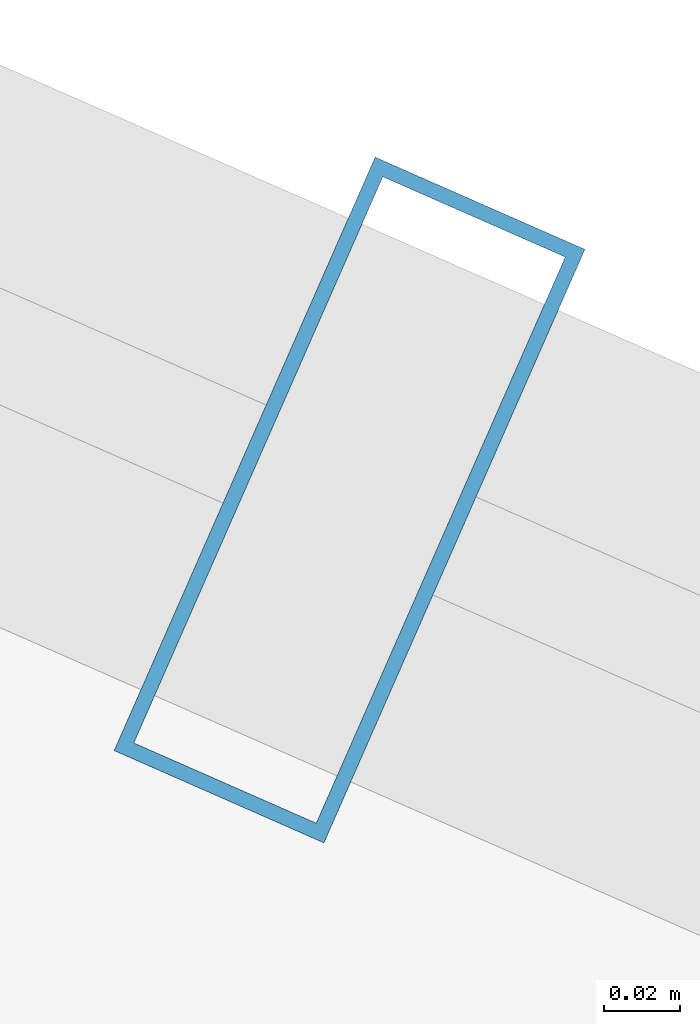
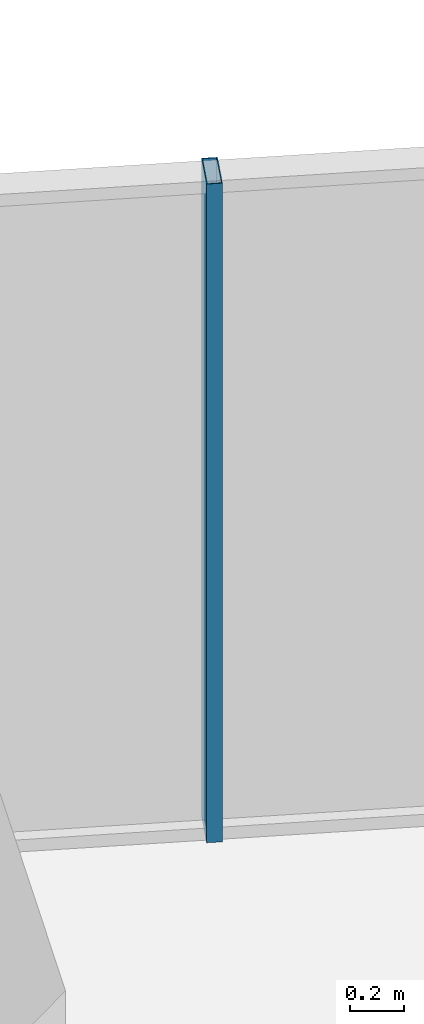
# One storey, part 23 of 34: 1 member, 1 element without a shape of its own.
"""IFC4 building model written with IfcOpenShell, lengths in metres."""

from ifc_helpers import new_model, si_unit, direction, frame, origin, origin_2d, place, context, subcontext, project, spatial, hollow_rectangle, extrude, source, transform, mapped, material, layer, layer_set, material_profile, profile_set, type_object, element, aggregate, save


model = new_model("IFC4")

# Units and contexts
model_context = context("Model", 3, precision=1e-05, world=origin(), true_north=direction((0.0, 1.0)))
body_context = subcontext(model_context, "Body", "Model", "MODEL_VIEW")
ifc_project = project(units=[si_unit("LENGTHUNIT", "METRE"), si_unit("AREAUNIT", "SQUARE_METRE"), si_unit("VOLUMEUNIT", "CUBIC_METRE"), si_unit("PLANEANGLEUNIT", "RADIAN"), si_unit("MASSUNIT", "GRAM", prefix="KILO")], contexts=[model_context])

# Site, building, storey
site_placement = place(None, origin())
site = spatial("IfcSite", under=ifc_project, at=site_placement, CompositionType="ELEMENT")
building_placement = place(site_placement, origin())
building = spatial("IfcBuilding", under=site, at=building_placement, Name="Veraguas Prism Commons", CompositionType="ELEMENT")
storey_placement = place(building_placement, frame((0.0, 0.0, 149.0)))
storey = spatial("IfcBuildingStorey", under=building, at=storey_placement, Name="L42", CompositionType="ELEMENT", Elevation=149.0)

# Curtain wall, member
ifc_material = material(Name="Anodised aluminium EN AW-6063 T6", Category="aluminium")
ifc_layer = layer(ifc_material, 0.169921875, Name="Unitised Flush Curtain Wall Zone 2", Category="aluminium")
ifc_layer_set = layer_set([ifc_layer], Name="Anodised aluminium EN AW-6063 T6")
curtain_wall_type = type_object("IfcCurtainWallType", Name="Unitised Flush Curtain Wall Zone 2", PredefinedType="NOTDEFINED", material=ifc_layer_set)
curtain_wall_placement = place(storey_placement, origin())
curtain_wall = element("IfcCurtainWall", 1, at=curtain_wall_placement, inside=storey, type_object=curtain_wall_type, Name="Tower Facade Curtain Wall L42-F1", PredefinedType="NOTDEFINED")
ifc_material_profile = material_profile(ifc_material, hollow_rectangle(XDim=0.06005859375, YDim=0.169921875, WallThickness=0.00390625, at=origin_2d()), Name="AL60X170X4")
ifc_profile_set = profile_set([ifc_material_profile], Name="Anodised aluminium EN AW-6063 T6")
member_type = type_object("IfcMemberType", Name="Curtain Wall Mullion Lower AL 60x170x4", PredefinedType="MULLION", material=ifc_profile_set)
shared_shape = source(origin(), body_context, "Body", "SweptSolid", [
    extrude(hollow_rectangle(XDim=0.06005859375, YDim=0.169921875, WallThickness=0.00390625, at=origin_2d()), origin(), (0.0, 0.0, 1.0), 3.0),
])
member_placement = place(storey_placement, frame((31.72265625, 41.559326171875, 0.0), z_axis=(0.0, 0.0, 1.0), x_axis=(-0.915385270935, 0.402578943507, 0.0)))
member = element("IfcMember", 2, at=member_placement, type_object=member_type, Name="CW-Z2 Mullion 3", PredefinedType="MULLION", context=body_context, shape_type="MappedRepresentation", body=[
    mapped(shared_shape, transform((0.0, 0.0, 0.0), scale=1.0)),
])
aggregate(curtain_wall, [member])

save(model, "model.ifc")
